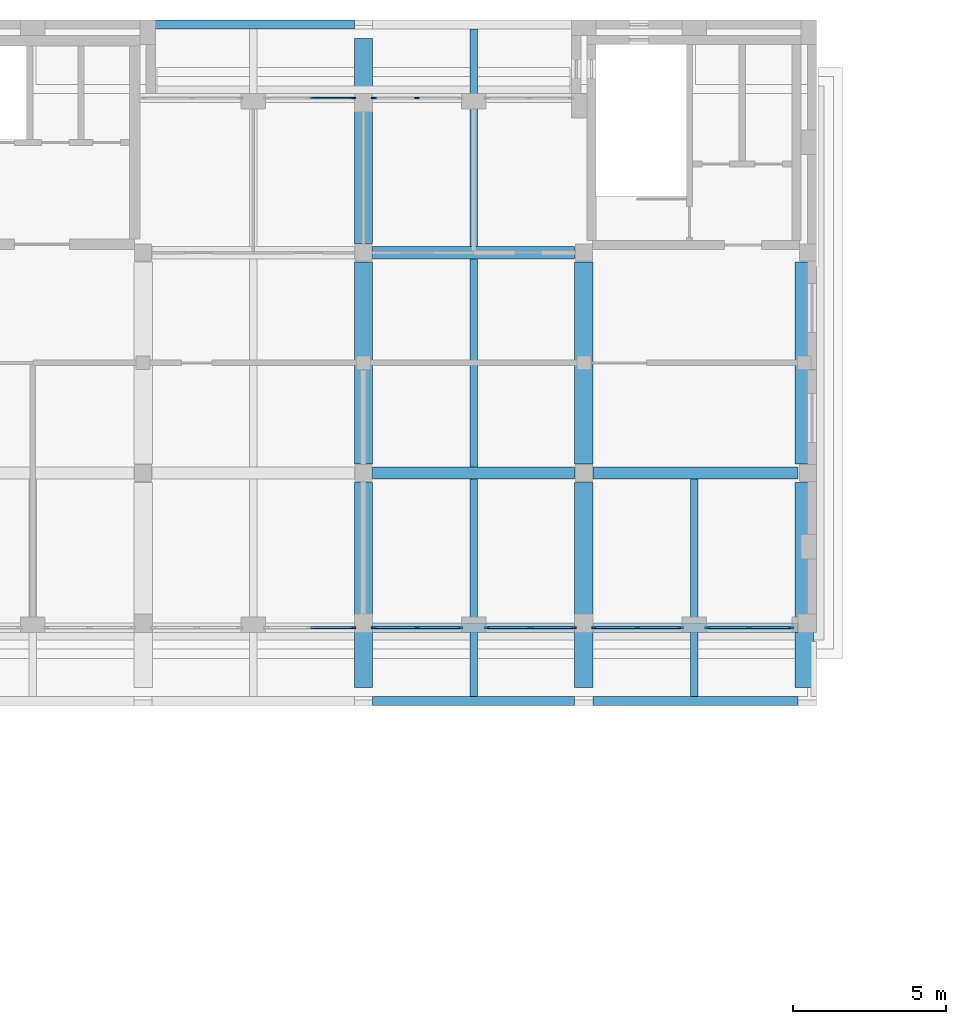
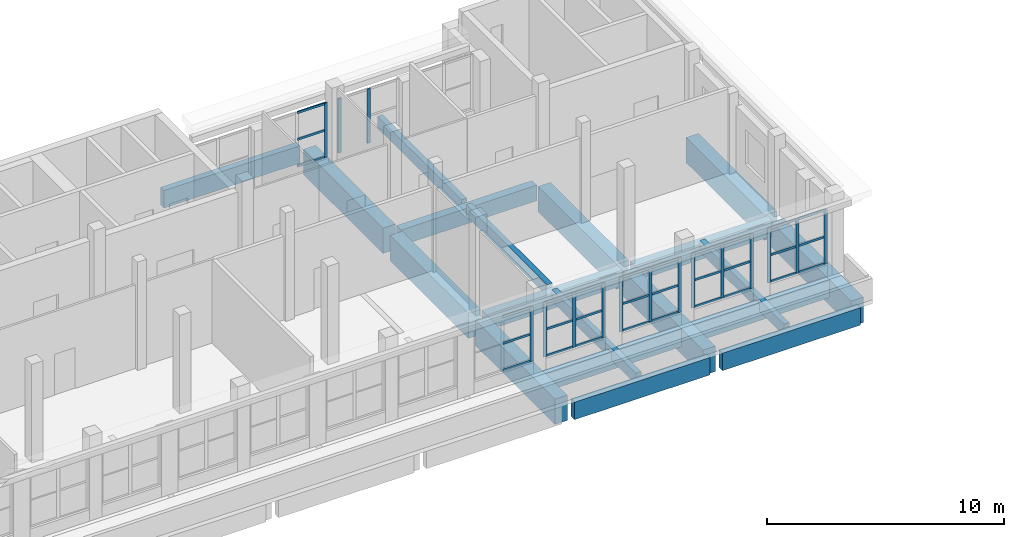
# One storey, part 8 of 30: 46 members, 19 beams, 7 elements without a shape of their own.
"""IFC4 building model written with IfcOpenShell, lengths in metres."""

from ifc_helpers import new_model, si_unit, direction, frame, origin, origin_2d, place, context, subcontext, project, spatial, rectangle, extrude, material, layer, layer_set, material_profile, profile_set, type_object, element, aggregate, save


model = new_model("IFC4")

# Units and contexts
model_context = context("Model", 3, precision=1e-05, world=origin(), true_north=direction((0.0, 1.0)))
body_context = subcontext(model_context, "Body", "Model", "MODEL_VIEW")
ifc_project = project(units=[si_unit("LENGTHUNIT", "METRE"), si_unit("AREAUNIT", "SQUARE_METRE"), si_unit("VOLUMEUNIT", "CUBIC_METRE"), si_unit("PLANEANGLEUNIT", "RADIAN"), si_unit("MASSUNIT", "GRAM", prefix="KILO")], contexts=[model_context])

# Site, building, storey
site_placement = place(None, origin())
site = spatial("IfcSite", under=ifc_project, at=site_placement, CompositionType="ELEMENT")
building_placement = place(site_placement, origin())
building = spatial("IfcBuilding", under=site, at=building_placement, Name="Ussher Court Research Institute", CompositionType="ELEMENT")
storey_placement = place(building_placement, frame((0.0, 0.0, 27.89990234375)))
storey = spatial("IfcBuildingStorey", under=building, at=storey_placement, Name="L06", CompositionType="ELEMENT", Elevation=27.89990234375)

# Curtain wall, members
ifc_material_1 = material(Name="Bronze anodised aluminium with insulated low-e glass", Category="aluminium")
ifc_layer = layer(ifc_material_1, 0.1201171875)
ifc_layer_set = layer_set([ifc_layer], Name="Bronze anodised aluminium with insulated low-e glass")
curtain_wall_type = type_object("IfcCurtainWallType", Name="Curtain wall attic gallery glazing", PredefinedType="NOTDEFINED", material=ifc_layer_set)
curtain_wall_1_placement = place(storey_placement, origin())
curtain_wall_1 = element("IfcCurtainWall", 1, at=curtain_wall_1_placement, inside=storey, type_object=curtain_wall_type, Name="Curtain wall CW11 L06", PredefinedType="NOTDEFINED")
ifc_material_2 = material(Name="Bronze anodised aluminium", Category="aluminium")
ifc_material_profile_1 = material_profile(ifc_material_2, rectangle(XDim=0.06005859375, YDim=0.159912109375, at=origin_2d()), Name="Mullion 60x160")
ifc_profile_set_1 = profile_set([ifc_material_profile_1], Name="Bronze anodised aluminium")
member_type_1 = type_object("IfcMemberType", Name="Mullion 60x160", PredefinedType="MULLION", material=ifc_profile_set_1)
member_1_placement = place(storey_placement, frame((81.77001953125, 70.949951171875, 0.60009765625), z_axis=(0.0, 0.0, 1.0), x_axis=(0.0, -1.0, 0.0)))
member_1 = element("IfcMember", 2, at=member_1_placement, type_object=member_type_1, Name="CW11 mullion 1", PredefinedType="MULLION", context=body_context, shape_type="SweptSolid", body=[
    extrude(rectangle(XDim=0.06005859375, YDim=0.159912109375, at=origin_2d()), origin(), (0.0, 0.0, 1.0), 2.800048828125),
])
member_2_placement = place(storey_placement, frame((80.39990234375, 70.949951171875, 0.60009765625), z_axis=(0.0, 0.0, 1.0), x_axis=(0.0, -1.0, 0.0)))
member_2 = element("IfcMember", 3, at=member_2_placement, type_object=member_type_1, Name="CW11 mullion 2", PredefinedType="MULLION", context=body_context, shape_type="SweptSolid", body=[
    extrude(rectangle(XDim=0.06005859375, YDim=0.159912109375, at=origin_2d()), origin(), (0.0, 0.0, 1.0), 2.800048828125),
])
member_3_placement = place(storey_placement, frame((79.030029296875, 70.949951171875, 0.60009765625), z_axis=(0.0, 0.0, 1.0), x_axis=(0.0, -1.0, 0.0)))
member_3 = element("IfcMember", 4, at=member_3_placement, type_object=member_type_1, Name="CW11 mullion 3", PredefinedType="MULLION", context=body_context, shape_type="SweptSolid", body=[
    extrude(rectangle(XDim=0.06005859375, YDim=0.159912109375, at=origin_2d()), origin(), (0.0, 0.0, 1.0), 2.800048828125),
])

curtain_wall_2_placement = place(storey_placement, origin())
curtain_wall_2 = element("IfcCurtainWall", 5, at=curtain_wall_2_placement, inside=storey, type_object=curtain_wall_type, Name="Curtain wall CW11 L06", PredefinedType="NOTDEFINED")
member_4_placement = place(storey_placement, frame((78.169921875, 70.949951171875, 0.60009765625), z_axis=(0.0, 0.0, 1.0), x_axis=(0.0, -1.0, 0.0)))
member_4 = element("IfcMember", 6, at=member_4_placement, type_object=member_type_1, Name="CW11 mullion 1", PredefinedType="MULLION", context=body_context, shape_type="SweptSolid", body=[
    extrude(rectangle(XDim=0.06005859375, YDim=0.159912109375, at=origin_2d()), origin(), (0.0, 0.0, 1.0), 2.800048828125),
])
member_5_placement = place(storey_placement, frame((76.75, 70.949951171875, 0.60009765625), z_axis=(0.0, 0.0, 1.0), x_axis=(0.0, -1.0, 0.0)))
member_5 = element("IfcMember", 7, at=member_5_placement, type_object=member_type_1, Name="CW11 mullion 2", PredefinedType="MULLION", context=body_context, shape_type="SweptSolid", body=[
    extrude(rectangle(XDim=0.06005859375, YDim=0.159912109375, at=origin_2d()), origin(), (0.0, 0.0, 1.0), 2.800048828125),
])
member_6_placement = place(storey_placement, frame((75.330078125, 70.949951171875, 0.60009765625), z_axis=(0.0, 0.0, 1.0), x_axis=(0.0, -1.0, 0.0)))
member_6 = element("IfcMember", 8, at=member_6_placement, type_object=member_type_1, Name="CW11 mullion 3", PredefinedType="MULLION", context=body_context, shape_type="SweptSolid", body=[
    extrude(rectangle(XDim=0.06005859375, YDim=0.159912109375, at=origin_2d()), origin(), (0.0, 0.0, 1.0), 2.800048828125),
])

curtain_wall_3_placement = place(storey_placement, origin())
curtain_wall_3 = element("IfcCurtainWall", 9, at=curtain_wall_3_placement, inside=storey, type_object=curtain_wall_type, Name="Curtain wall CW11 L06", PredefinedType="NOTDEFINED")
member_7_placement = place(storey_placement, frame((74.669921875, 70.949951171875, 0.60009765625), z_axis=(0.0, 0.0, 1.0), x_axis=(0.0, -1.0, 0.0)))
member_7 = element("IfcMember", 10, at=member_7_placement, type_object=member_type_1, Name="CW11 mullion 1", PredefinedType="MULLION", context=body_context, shape_type="SweptSolid", body=[
    extrude(rectangle(XDim=0.06005859375, YDim=0.159912109375, at=origin_2d()), origin(), (0.0, 0.0, 1.0), 2.800048828125),
])
member_8_placement = place(storey_placement, frame((73.25, 70.949951171875, 0.60009765625), z_axis=(0.0, 0.0, 1.0), x_axis=(0.0, -1.0, 0.0)))
member_8 = element("IfcMember", 11, at=member_8_placement, type_object=member_type_1, Name="CW11 mullion 2", PredefinedType="MULLION", context=body_context, shape_type="SweptSolid", body=[
    extrude(rectangle(XDim=0.06005859375, YDim=0.159912109375, at=origin_2d()), origin(), (0.0, 0.0, 1.0), 2.800048828125),
])
member_9_placement = place(storey_placement, frame((71.830078125, 70.949951171875, 0.60009765625), z_axis=(0.0, 0.0, 1.0), x_axis=(0.0, -1.0, 0.0)))
member_9 = element("IfcMember", 12, at=member_9_placement, type_object=member_type_1, Name="CW11 mullion 3", PredefinedType="MULLION", context=body_context, shape_type="SweptSolid", body=[
    extrude(rectangle(XDim=0.06005859375, YDim=0.159912109375, at=origin_2d()), origin(), (0.0, 0.0, 1.0), 2.800048828125),
])

curtain_wall_4_placement = place(storey_placement, origin())
curtain_wall_4 = element("IfcCurtainWall", 13, at=curtain_wall_4_placement, inside=storey, type_object=curtain_wall_type, Name="Curtain wall CW11 L06", PredefinedType="NOTDEFINED")
member_10_placement = place(storey_placement, frame((70.969970703125, 70.949951171875, 0.60009765625), z_axis=(0.0, 0.0, 1.0), x_axis=(0.0, -1.0, 0.0)))
member_10 = element("IfcMember", 14, at=member_10_placement, type_object=member_type_1, Name="CW11 mullion 1", PredefinedType="MULLION", context=body_context, shape_type="SweptSolid", body=[
    extrude(rectangle(XDim=0.06005859375, YDim=0.159912109375, at=origin_2d()), origin(), (0.0, 0.0, 1.0), 2.800048828125),
])
member_11_placement = place(storey_placement, frame((69.550048828125, 70.949951171875, 0.60009765625), z_axis=(0.0, 0.0, 1.0), x_axis=(0.0, -1.0, 0.0)))
member_11 = element("IfcMember", 15, at=member_11_placement, type_object=member_type_1, Name="CW11 mullion 2", PredefinedType="MULLION", context=body_context, shape_type="SweptSolid", body=[
    extrude(rectangle(XDim=0.06005859375, YDim=0.159912109375, at=origin_2d()), origin(), (0.0, 0.0, 1.0), 2.800048828125),
])
member_12_placement = place(storey_placement, frame((68.1298828125, 70.949951171875, 0.60009765625), z_axis=(0.0, 0.0, 1.0), x_axis=(0.0, -1.0, 0.0)))
member_12 = element("IfcMember", 16, at=member_12_placement, type_object=member_type_1, Name="CW11 mullion 3", PredefinedType="MULLION", context=body_context, shape_type="SweptSolid", body=[
    extrude(rectangle(XDim=0.06005859375, YDim=0.159912109375, at=origin_2d()), origin(), (0.0, 0.0, 1.0), 2.800048828125),
])

# Curtain wall, member
curtain_wall_5_placement = place(storey_placement, origin())
curtain_wall_5 = element("IfcCurtainWall", 17, at=curtain_wall_5_placement, inside=storey, type_object=curtain_wall_type, Name="Curtain wall CW11 L06", PredefinedType="NOTDEFINED")
member_13_placement = place(storey_placement, frame((67.469970703125, 70.949951171875, 0.60009765625), z_axis=(0.0, 0.0, 1.0), x_axis=(0.0, -1.0, 0.0)))
member_13 = element("IfcMember", 18, at=member_13_placement, type_object=member_type_1, Name="CW11 mullion 1", PredefinedType="MULLION", context=body_context, shape_type="SweptSolid", body=[
    extrude(rectangle(XDim=0.06005859375, YDim=0.159912109375, at=origin_2d()), origin(), (0.0, 0.0, 1.0), 2.800048828125),
])

curtain_wall_6_placement = place(storey_placement, origin())
curtain_wall_6 = element("IfcCurtainWall", 19, at=curtain_wall_6_placement, inside=storey, type_object=curtain_wall_type, Name="Curtain wall CW11 L06", PredefinedType="NOTDEFINED")
member_14_placement = place(storey_placement, frame((67.469970703125, 88.25, 0.60009765625), z_axis=(0.0, 0.0, 1.0), x_axis=(0.0, 1.0, 0.0)))
member_14 = element("IfcMember", 20, at=member_14_placement, type_object=member_type_1, Name="CW11 mullion 3", PredefinedType="MULLION", context=body_context, shape_type="SweptSolid", body=[
    extrude(rectangle(XDim=0.06005859375, YDim=0.159912109375, at=origin_2d()), origin(), (0.0, 0.0, 1.0), 2.800048828125),
])

# Curtain wall, members
curtain_wall_7_placement = place(storey_placement, origin())
curtain_wall_7 = element("IfcCurtainWall", 21, at=curtain_wall_7_placement, inside=storey, type_object=curtain_wall_type, Name="Curtain wall CW11 L06", PredefinedType="NOTDEFINED")
member_15_placement = place(storey_placement, frame((68.1298828125, 88.25, 0.60009765625), z_axis=(0.0, 0.0, 1.0), x_axis=(0.0, 1.0, 0.0)))
member_15 = element("IfcMember", 22, at=member_15_placement, type_object=member_type_1, Name="CW11 mullion 1", PredefinedType="MULLION", context=body_context, shape_type="SweptSolid", body=[
    extrude(rectangle(XDim=0.06005859375, YDim=0.159912109375, at=origin_2d()), origin(), (0.0, 0.0, 1.0), 2.800048828125),
])
member_16_placement = place(storey_placement, frame((69.550048828125, 88.25, 0.60009765625), z_axis=(0.0, 0.0, 1.0), x_axis=(0.0, 1.0, 0.0)))
member_16 = element("IfcMember", 23, at=member_16_placement, type_object=member_type_1, Name="CW11 mullion 2", PredefinedType="MULLION", context=body_context, shape_type="SweptSolid", body=[
    extrude(rectangle(XDim=0.06005859375, YDim=0.159912109375, at=origin_2d()), origin(), (0.0, 0.0, 1.0), 2.800048828125),
])
aggregate(curtain_wall_7, [member_15, member_16])

# Beams
ifc_material_3 = material(Name="Concrete C35/45", Category="concrete")
ifc_material_profile_2 = material_profile(ifc_material_3, rectangle(XDim=0.25, YDim=0.60009765625, at=origin_2d()), Name="RC 250x600")
ifc_profile_set_2 = profile_set([ifc_material_profile_2], Name="Concrete C35/45")
beam_type_1 = type_object("IfcBeamType", Name="RC 250x600 beam", PredefinedType="BEAM", material=ifc_profile_set_2)
beam_1_placement = place(storey_placement, frame((71.39990234375, 68.699951171875, -0.2998046875), z_axis=(0.0, 1.0, 0.0), x_axis=(-1.0, 0.0, 0.0)))
element("IfcBeam", 24, at=beam_1_placement, inside=storey, type_object=beam_type_1, Name="B14 V5 L06-22", PredefinedType="BEAM", context=body_context, shape_type="SweptSolid", body=[
    extrude(rectangle(XDim=0.25, YDim=0.60009765625, at=origin_2d()), origin(), (0.0, 0.0, 1.0), 7.10009765625),
])
beam_2_placement = place(storey_placement, frame((71.39990234375, 76.199951171875, -0.2998046875), z_axis=(0.0, 1.0, 0.0), x_axis=(-1.0, 0.0, 0.0)))
element("IfcBeam", 25, at=beam_2_placement, inside=storey, type_object=beam_type_1, Name="B14 V5 L06-23", PredefinedType="BEAM", context=body_context, shape_type="SweptSolid", body=[
    extrude(rectangle(XDim=0.25, YDim=0.60009765625, at=origin_2d()), origin(), (0.0, 0.0, 1.0), 6.800048828125),
])
for number, where, z_axis, x_axis, name in (
    (26, (71.39990234375, 83.39990234375, -0.2998046875), (0.0, 1.0, 0.0), (-1.0, 0.0, 0.0), "B14 V5 L06-24"),
    (27, (78.60009765625, 68.699951171875, -0.2998046875), (0.0, 1.0, 0.0), (-1.0, 0.0, 0.0), "B14 V5 L06-25"),
):
    element("IfcBeam", number, at=place(storey_placement, frame(where, z_axis=z_axis, x_axis=x_axis)), inside=storey, type_object=beam_type_1, Name=name, PredefinedType="BEAM", context=body_context, shape_type="SweptSolid", body=[
        extrude(rectangle(XDim=0.25, YDim=0.60009765625, at=origin_2d()), origin(), (0.0, 0.0, 1.0), 7.10009765625),
    ])
ifc_material_4 = material(Name="Concrete C35/45", Category="concrete")
ifc_material_profile_3 = material_profile(ifc_material_4, rectangle(XDim=0.300048828125, YDim=0.89990234375, at=origin_2d()), Name="RC 300x900")
ifc_profile_set_3 = profile_set([ifc_material_profile_3], Name="Concrete C35/45")
beam_type_2 = type_object("IfcBeamType", Name="RC 300x900 beam", PredefinedType="BEAM", material=ifc_profile_set_3)
beam_3_placement = place(storey_placement, frame((68.10009765625, 68.550048828125, -0.64990234375), z_axis=(1.0, 0.0, 0.0), x_axis=(0.0, 1.0, 0.0)))
element("IfcBeam", 28, at=beam_3_placement, inside=storey, type_object=beam_type_2, Name="SB2 V5 L06-10", PredefinedType="BEAM", context=body_context, shape_type="SweptSolid", body=[
    extrude(rectangle(XDim=0.300048828125, YDim=0.89990234375, at=origin_2d()), origin(), (0.0, 0.0, 1.0), 6.599853515625),
])
beam_4_placement = place(storey_placement, frame((75.300048828125, 68.550048828125, -0.64990234375), z_axis=(1.0, 0.0, 0.0), x_axis=(0.0, 1.0, 0.0)))
element("IfcBeam", 29, at=beam_4_placement, inside=storey, type_object=beam_type_2, Name="SB2 V5 L06-11", PredefinedType="BEAM", context=body_context, shape_type="SweptSolid", body=[
    extrude(rectangle(XDim=0.300048828125, YDim=0.89990234375, at=origin_2d()), origin(), (0.0, 0.0, 1.0), 6.699951171875),
])
beam_5_placement = place(storey_placement, frame((60.89990234375, 90.64990234375, -0.64990234375), z_axis=(1.0, 0.0, 0.0), x_axis=(0.0, 1.0, 0.0)))
element("IfcBeam", 30, at=beam_5_placement, inside=storey, type_object=beam_type_2, Name="SB2 V5 L06-20", PredefinedType="BEAM", context=body_context, shape_type="SweptSolid", body=[
    extrude(rectangle(XDim=0.300048828125, YDim=0.89990234375, at=origin_2d()), origin(), (0.0, 0.0, 1.0), 6.60009765625),
])
beam_6_placement = place(storey_placement, frame((68.10009765625, 70.949951171875, -0.64990234375), z_axis=(1.0, 0.0, 0.0), x_axis=(0.0, 1.0, 0.0)))
element("IfcBeam", 31, at=beam_6_placement, inside=storey, type_object=beam_type_2, Name="SB2 V5 L06-32", PredefinedType="BEAM", context=body_context, shape_type="SweptSolid", body=[
    extrude(rectangle(XDim=0.300048828125, YDim=0.89990234375, at=origin_2d()), origin(), (0.0, 0.0, 1.0), 6.599853515625),
])
beam_7_placement = place(storey_placement, frame((75.300048828125, 70.949951171875, -0.64990234375), z_axis=(1.0, 0.0, 0.0), x_axis=(0.0, 1.0, 0.0)))
element("IfcBeam", 32, at=beam_7_placement, inside=storey, type_object=beam_type_2, Name="SB2 V5 L06-33", PredefinedType="BEAM", context=body_context, shape_type="SweptSolid", body=[
    extrude(rectangle(XDim=0.300048828125, YDim=0.89990234375, at=origin_2d()), origin(), (0.0, 0.0, 1.0), 6.699951171875),
])
ifc_material_5 = material(Name="Concrete C35/45", Category="concrete")
ifc_material_profile_4 = material_profile(ifc_material_5, rectangle(XDim=0.39990234375, YDim=0.800048828125, at=origin_2d()), Name="RC 400x800")
ifc_profile_set_4 = profile_set([ifc_material_profile_4], Name="Concrete C35/45")
beam_type_3 = type_object("IfcBeamType", Name="RC 400x800 beam", PredefinedType="BEAM", material=ifc_profile_set_4)
beam_8_placement = place(storey_placement, frame((68.10009765625, 76.0, -0.599853515625), z_axis=(1.0, 0.0, 0.0), x_axis=(0.0, 1.0, 0.0)))
element("IfcBeam", 33, at=beam_8_placement, inside=storey, type_object=beam_type_3, Name="B17 V5 L06-10", PredefinedType="BEAM", context=body_context, shape_type="SweptSolid", body=[
    extrude(rectangle(XDim=0.39990234375, YDim=0.800048828125, at=origin_2d()), origin(), (0.0, 0.0, 1.0), 6.599853515625),
])
beam_9_placement = place(storey_placement, frame((75.300048828125, 76.0, -0.599853515625), z_axis=(1.0, 0.0, 0.0), x_axis=(0.0, 1.0, 0.0)))
element("IfcBeam", 34, at=beam_9_placement, inside=storey, type_object=beam_type_3, Name="B17 V5 L06-11", PredefinedType="BEAM", context=body_context, shape_type="SweptSolid", body=[
    extrude(rectangle(XDim=0.39990234375, YDim=0.800048828125, at=origin_2d()), origin(), (0.0, 0.0, 1.0), 6.699951171875),
])
beam_10_placement = place(storey_placement, frame((68.10009765625, 83.199951171875, -0.599853515625), z_axis=(1.0, 0.0, 0.0), x_axis=(0.0, 1.0, 0.0)))
element("IfcBeam", 35, at=beam_10_placement, inside=storey, type_object=beam_type_3, Name="B17 V5 L06-18", PredefinedType="BEAM", context=body_context, shape_type="SweptSolid", body=[
    extrude(rectangle(XDim=0.39990234375, YDim=0.800048828125, at=origin_2d()), origin(), (0.0, 0.0, 1.0), 6.599853515625),
])
ifc_material_6 = material(Name="Concrete C35/45", Category="concrete")
ifc_material_profile_5 = material_profile(ifc_material_6, rectangle(XDim=0.60009765625, YDim=1.300048828125, at=origin_2d()), Name="RC 600x1300")
ifc_profile_set_5 = profile_set([ifc_material_profile_5], Name="Concrete C35/45")
beam_type_4 = type_object("IfcBeamType", Name="RC 600x1300 beam", PredefinedType="BEAM", material=ifc_profile_set_5)
beam_11_placement = place(storey_placement, frame((67.800048828125, 69.0, -0.849853515625), z_axis=(0.0, 1.0, 0.0), x_axis=(-1.0, 0.0, 0.0)))
element("IfcBeam", 36, at=beam_11_placement, inside=storey, type_object=beam_type_4, Name="TB1 V5 L06-23", PredefinedType="BEAM", context=body_context, shape_type="SweptSolid", body=[
    extrude(rectangle(XDim=0.60009765625, YDim=1.300048828125, at=origin_2d()), origin(), (0.0, 0.0, 1.0), 6.699951171875),
])
beam_12_placement = place(storey_placement, frame((67.800048828125, 76.300048828125, -0.849853515625), z_axis=(0.0, 1.0, 0.0), x_axis=(-1.0, 0.0, 0.0)))
element("IfcBeam", 37, at=beam_12_placement, inside=storey, type_object=beam_type_4, Name="TB1 V5 L06-24", PredefinedType="BEAM", context=body_context, shape_type="SweptSolid", body=[
    extrude(rectangle(XDim=0.60009765625, YDim=1.300048828125, at=origin_2d()), origin(), (0.0, 0.0, 1.0), 6.599853515625),
])
for number, where, z_axis, x_axis, name in (
    (38, (67.800048828125, 83.5, -0.849853515625), (0.0, 1.0, 0.0), (-1.0, 0.0, 0.0), "TB1 V5 L06-25"),
    (39, (75.0, 69.0, -0.849853515625), (0.0, 1.0, 0.0), (-1.0, 0.0, 0.0), "TB1 V5 L06-26"),
):
    element("IfcBeam", number, at=place(storey_placement, frame(where, z_axis=z_axis, x_axis=x_axis)), inside=storey, type_object=beam_type_4, Name=name, PredefinedType="BEAM", context=body_context, shape_type="SweptSolid", body=[
        extrude(rectangle(XDim=0.60009765625, YDim=1.300048828125, at=origin_2d()), origin(), (0.0, 0.0, 1.0), 6.699951171875),
    ])
beam_13_placement = place(storey_placement, frame((75.0, 76.300048828125, -0.849853515625), z_axis=(0.0, 1.0, 0.0), x_axis=(-1.0, 0.0, 0.0)))
element("IfcBeam", 40, at=beam_13_placement, inside=storey, type_object=beam_type_4, Name="TB1 V5 L06-27", PredefinedType="BEAM", context=body_context, shape_type="SweptSolid", body=[
    extrude(rectangle(XDim=0.60009765625, YDim=1.300048828125, at=origin_2d()), origin(), (0.0, 0.0, 1.0), 6.599853515625),
])
beam_14_placement = place(storey_placement, frame((82.199951171875, 69.0, -0.849853515625), z_axis=(0.0, 1.0, 0.0), x_axis=(-1.0, 0.0, 0.0)))
element("IfcBeam", 41, at=beam_14_placement, inside=storey, type_object=beam_type_4, Name="TB1 V5 L06-28", PredefinedType="BEAM", context=body_context, shape_type="SweptSolid", body=[
    extrude(rectangle(XDim=0.60009765625, YDim=1.300048828125, at=origin_2d()), origin(), (0.0, 0.0, 1.0), 6.699951171875),
])
beam_15_placement = place(storey_placement, frame((82.199951171875, 76.300048828125, -0.849853515625), z_axis=(0.0, 1.0, 0.0), x_axis=(-1.0, 0.0, 0.0)))
element("IfcBeam", 42, at=beam_15_placement, inside=storey, type_object=beam_type_4, Name="TB1 V5 L06-29", PredefinedType="BEAM", context=body_context, shape_type="SweptSolid", body=[
    extrude(rectangle(XDim=0.60009765625, YDim=1.300048828125, at=origin_2d()), origin(), (0.0, 0.0, 1.0), 6.599853515625),
])

# Member
ifc_material_7 = material(Name="Bronze anodised aluminium", Category="aluminium")
ifc_material_profile_6 = material_profile(ifc_material_7, rectangle(XDim=0.06005859375, YDim=0.1201171875, at=origin_2d()), Name="Transom 60x120")
ifc_profile_set_6 = profile_set([ifc_material_profile_6], Name="Bronze anodised aluminium")
member_type_2 = type_object("IfcMemberType", Name="Transom 60x120", PredefinedType="USERDEFINED", material=ifc_profile_set_6)
member_17_placement = place(storey_placement, frame((81.739990234375, 70.949951171875, 0.630126953125), z_axis=(-1.0, 0.0, 0.0), x_axis=(0.0, -1.0, 0.0)))
member_17 = element("IfcMember", 43, at=member_17_placement, type_object=member_type_2, Name="CW11 transom 1.1", ObjectType="TRANSOM", PredefinedType="USERDEFINED", context=body_context, shape_type="SweptSolid", body=[
    extrude(rectangle(XDim=0.06005859375, YDim=0.1201171875, at=origin_2d()), origin(), (0.0, 0.0, 1.0), 1.31005859375),
])

member_18_placement = place(storey_placement, frame((81.739990234375, 70.949951171875, 2.0), z_axis=(-1.0, 0.0, 0.0), x_axis=(0.0, -1.0, 0.0)))
member_18 = element("IfcMember", 44, at=member_18_placement, type_object=member_type_2, Name="CW11 transom 1.2", ObjectType="TRANSOM", PredefinedType="USERDEFINED", context=body_context, shape_type="SweptSolid", body=[
    extrude(rectangle(XDim=0.06005859375, YDim=0.1201171875, at=origin_2d()), origin(), (0.0, 0.0, 1.0), 1.31005859375),
])

member_19_placement = place(storey_placement, frame((81.739990234375, 70.949951171875, 3.3701171875), z_axis=(-1.0, 0.0, 0.0), x_axis=(0.0, -1.0, 0.0)))
member_19 = element("IfcMember", 45, at=member_19_placement, type_object=member_type_2, Name="CW11 transom 1.3", ObjectType="TRANSOM", PredefinedType="USERDEFINED", context=body_context, shape_type="SweptSolid", body=[
    extrude(rectangle(XDim=0.06005859375, YDim=0.1201171875, at=origin_2d()), origin(), (0.0, 0.0, 1.0), 1.31005859375),
])

member_20_placement = place(storey_placement, frame((80.3701171875, 70.949951171875, 0.630126953125), z_axis=(-1.0, 0.0, 0.0), x_axis=(0.0, -1.0, 0.0)))
member_20 = element("IfcMember", 46, at=member_20_placement, type_object=member_type_2, Name="CW11 transom 2.1", ObjectType="TRANSOM", PredefinedType="USERDEFINED", context=body_context, shape_type="SweptSolid", body=[
    extrude(rectangle(XDim=0.06005859375, YDim=0.1201171875, at=origin_2d()), origin(), (0.0, 0.0, 1.0), 1.31005859375),
])

member_21_placement = place(storey_placement, frame((80.3701171875, 70.949951171875, 2.0), z_axis=(-1.0, 0.0, 0.0), x_axis=(0.0, -1.0, 0.0)))
member_21 = element("IfcMember", 47, at=member_21_placement, type_object=member_type_2, Name="CW11 transom 2.2", ObjectType="TRANSOM", PredefinedType="USERDEFINED", context=body_context, shape_type="SweptSolid", body=[
    extrude(rectangle(XDim=0.06005859375, YDim=0.1201171875, at=origin_2d()), origin(), (0.0, 0.0, 1.0), 1.31005859375),
])

member_22_placement = place(storey_placement, frame((80.3701171875, 70.949951171875, 3.3701171875), z_axis=(-1.0, 0.0, 0.0), x_axis=(0.0, -1.0, 0.0)))
member_22 = element("IfcMember", 48, at=member_22_placement, type_object=member_type_2, Name="CW11 transom 2.3", ObjectType="TRANSOM", PredefinedType="USERDEFINED", context=body_context, shape_type="SweptSolid", body=[
    extrude(rectangle(XDim=0.06005859375, YDim=0.1201171875, at=origin_2d()), origin(), (0.0, 0.0, 1.0), 1.31005859375),
])

aggregate(curtain_wall_1, [member_1, member_2, member_3, member_17, member_18, member_19, member_20, member_21, member_22])

member_23_placement = place(storey_placement, frame((78.139892578125, 70.949951171875, 0.630126953125), z_axis=(-1.0, 0.0, 0.0), x_axis=(0.0, -1.0, 0.0)))
member_23 = element("IfcMember", 49, at=member_23_placement, type_object=member_type_2, Name="CW11 transom 1.1", ObjectType="TRANSOM", PredefinedType="USERDEFINED", context=body_context, shape_type="SweptSolid", body=[
    extrude(rectangle(XDim=0.06005859375, YDim=0.1201171875, at=origin_2d()), origin(), (0.0, 0.0, 1.0), 1.35986328125),
])

member_24_placement = place(storey_placement, frame((78.139892578125, 70.949951171875, 2.0), z_axis=(-1.0, 0.0, 0.0), x_axis=(0.0, -1.0, 0.0)))
member_24 = element("IfcMember", 50, at=member_24_placement, type_object=member_type_2, Name="CW11 transom 1.2", ObjectType="TRANSOM", PredefinedType="USERDEFINED", context=body_context, shape_type="SweptSolid", body=[
    extrude(rectangle(XDim=0.06005859375, YDim=0.1201171875, at=origin_2d()), origin(), (0.0, 0.0, 1.0), 1.35986328125),
])

member_25_placement = place(storey_placement, frame((78.139892578125, 70.949951171875, 3.3701171875), z_axis=(-1.0, 0.0, 0.0), x_axis=(0.0, -1.0, 0.0)))
member_25 = element("IfcMember", 51, at=member_25_placement, type_object=member_type_2, Name="CW11 transom 1.3", ObjectType="TRANSOM", PredefinedType="USERDEFINED", context=body_context, shape_type="SweptSolid", body=[
    extrude(rectangle(XDim=0.06005859375, YDim=0.1201171875, at=origin_2d()), origin(), (0.0, 0.0, 1.0), 1.35986328125),
])

member_26_placement = place(storey_placement, frame((76.719970703125, 70.949951171875, 0.630126953125), z_axis=(-1.0, 0.0, 0.0), x_axis=(0.0, -1.0, 0.0)))
member_26 = element("IfcMember", 52, at=member_26_placement, type_object=member_type_2, Name="CW11 transom 2.1", ObjectType="TRANSOM", PredefinedType="USERDEFINED", context=body_context, shape_type="SweptSolid", body=[
    extrude(rectangle(XDim=0.06005859375, YDim=0.1201171875, at=origin_2d()), origin(), (0.0, 0.0, 1.0), 1.35986328125),
])

member_27_placement = place(storey_placement, frame((76.719970703125, 70.949951171875, 2.0), z_axis=(-1.0, 0.0, 0.0), x_axis=(0.0, -1.0, 0.0)))
member_27 = element("IfcMember", 53, at=member_27_placement, type_object=member_type_2, Name="CW11 transom 2.2", ObjectType="TRANSOM", PredefinedType="USERDEFINED", context=body_context, shape_type="SweptSolid", body=[
    extrude(rectangle(XDim=0.06005859375, YDim=0.1201171875, at=origin_2d()), origin(), (0.0, 0.0, 1.0), 1.35986328125),
])

member_28_placement = place(storey_placement, frame((76.719970703125, 70.949951171875, 3.3701171875), z_axis=(-1.0, 0.0, 0.0), x_axis=(0.0, -1.0, 0.0)))
member_28 = element("IfcMember", 54, at=member_28_placement, type_object=member_type_2, Name="CW11 transom 2.3", ObjectType="TRANSOM", PredefinedType="USERDEFINED", context=body_context, shape_type="SweptSolid", body=[
    extrude(rectangle(XDim=0.06005859375, YDim=0.1201171875, at=origin_2d()), origin(), (0.0, 0.0, 1.0), 1.35986328125),
])

aggregate(curtain_wall_2, [member_4, member_5, member_6, member_23, member_24, member_25, member_26, member_27, member_28])

member_29_placement = place(storey_placement, frame((74.639892578125, 70.949951171875, 0.630126953125), z_axis=(-1.0, 0.0, 0.0), x_axis=(0.0, -1.0, 0.0)))
member_29 = element("IfcMember", 55, at=member_29_placement, type_object=member_type_2, Name="CW11 transom 1.1", ObjectType="TRANSOM", PredefinedType="USERDEFINED", context=body_context, shape_type="SweptSolid", body=[
    extrude(rectangle(XDim=0.06005859375, YDim=0.1201171875, at=origin_2d()), origin(), (0.0, 0.0, 1.0), 1.35986328125),
])

member_30_placement = place(storey_placement, frame((74.639892578125, 70.949951171875, 2.0), z_axis=(-1.0, 0.0, 0.0), x_axis=(0.0, -1.0, 0.0)))
member_30 = element("IfcMember", 56, at=member_30_placement, type_object=member_type_2, Name="CW11 transom 1.2", ObjectType="TRANSOM", PredefinedType="USERDEFINED", context=body_context, shape_type="SweptSolid", body=[
    extrude(rectangle(XDim=0.06005859375, YDim=0.1201171875, at=origin_2d()), origin(), (0.0, 0.0, 1.0), 1.35986328125),
])

member_31_placement = place(storey_placement, frame((74.639892578125, 70.949951171875, 3.3701171875), z_axis=(-1.0, 0.0, 0.0), x_axis=(0.0, -1.0, 0.0)))
member_31 = element("IfcMember", 57, at=member_31_placement, type_object=member_type_2, Name="CW11 transom 1.3", ObjectType="TRANSOM", PredefinedType="USERDEFINED", context=body_context, shape_type="SweptSolid", body=[
    extrude(rectangle(XDim=0.06005859375, YDim=0.1201171875, at=origin_2d()), origin(), (0.0, 0.0, 1.0), 1.35986328125),
])

member_32_placement = place(storey_placement, frame((73.219970703125, 70.949951171875, 0.630126953125), z_axis=(-1.0, 0.0, 0.0), x_axis=(0.0, -1.0, 0.0)))
member_32 = element("IfcMember", 58, at=member_32_placement, type_object=member_type_2, Name="CW11 transom 2.1", ObjectType="TRANSOM", PredefinedType="USERDEFINED", context=body_context, shape_type="SweptSolid", body=[
    extrude(rectangle(XDim=0.06005859375, YDim=0.1201171875, at=origin_2d()), origin(), (0.0, 0.0, 1.0), 1.35986328125),
])

member_33_placement = place(storey_placement, frame((73.219970703125, 70.949951171875, 2.0), z_axis=(-1.0, 0.0, 0.0), x_axis=(0.0, -1.0, 0.0)))
member_33 = element("IfcMember", 59, at=member_33_placement, type_object=member_type_2, Name="CW11 transom 2.2", ObjectType="TRANSOM", PredefinedType="USERDEFINED", context=body_context, shape_type="SweptSolid", body=[
    extrude(rectangle(XDim=0.06005859375, YDim=0.1201171875, at=origin_2d()), origin(), (0.0, 0.0, 1.0), 1.35986328125),
])

member_34_placement = place(storey_placement, frame((73.219970703125, 70.949951171875, 3.3701171875), z_axis=(-1.0, 0.0, 0.0), x_axis=(0.0, -1.0, 0.0)))
member_34 = element("IfcMember", 60, at=member_34_placement, type_object=member_type_2, Name="CW11 transom 2.3", ObjectType="TRANSOM", PredefinedType="USERDEFINED", context=body_context, shape_type="SweptSolid", body=[
    extrude(rectangle(XDim=0.06005859375, YDim=0.1201171875, at=origin_2d()), origin(), (0.0, 0.0, 1.0), 1.35986328125),
])

aggregate(curtain_wall_3, [member_7, member_8, member_9, member_29, member_30, member_31, member_32, member_33, member_34])

member_35_placement = place(storey_placement, frame((70.93994140625, 70.949951171875, 0.630126953125), z_axis=(-1.0, 0.0, 0.0), x_axis=(0.0, -1.0, 0.0)))
member_35 = element("IfcMember", 61, at=member_35_placement, type_object=member_type_2, Name="CW11 transom 1.1", ObjectType="TRANSOM", PredefinedType="USERDEFINED", context=body_context, shape_type="SweptSolid", body=[
    extrude(rectangle(XDim=0.06005859375, YDim=0.1201171875, at=origin_2d()), origin(), (0.0, 0.0, 1.0), 1.35986328125),
])

member_36_placement = place(storey_placement, frame((70.93994140625, 70.949951171875, 2.0), z_axis=(-1.0, 0.0, 0.0), x_axis=(0.0, -1.0, 0.0)))
member_36 = element("IfcMember", 62, at=member_36_placement, type_object=member_type_2, Name="CW11 transom 1.2", ObjectType="TRANSOM", PredefinedType="USERDEFINED", context=body_context, shape_type="SweptSolid", body=[
    extrude(rectangle(XDim=0.06005859375, YDim=0.1201171875, at=origin_2d()), origin(), (0.0, 0.0, 1.0), 1.35986328125),
])

member_37_placement = place(storey_placement, frame((70.93994140625, 70.949951171875, 3.3701171875), z_axis=(-1.0, 0.0, 0.0), x_axis=(0.0, -1.0, 0.0)))
member_37 = element("IfcMember", 63, at=member_37_placement, type_object=member_type_2, Name="CW11 transom 1.3", ObjectType="TRANSOM", PredefinedType="USERDEFINED", context=body_context, shape_type="SweptSolid", body=[
    extrude(rectangle(XDim=0.06005859375, YDim=0.1201171875, at=origin_2d()), origin(), (0.0, 0.0, 1.0), 1.35986328125),
])

member_38_placement = place(storey_placement, frame((69.52001953125, 70.949951171875, 0.630126953125), z_axis=(-1.0, 0.0, 0.0), x_axis=(0.0, -1.0, 0.0)))
member_38 = element("IfcMember", 64, at=member_38_placement, type_object=member_type_2, Name="CW11 transom 2.1", ObjectType="TRANSOM", PredefinedType="USERDEFINED", context=body_context, shape_type="SweptSolid", body=[
    extrude(rectangle(XDim=0.06005859375, YDim=0.1201171875, at=origin_2d()), origin(), (0.0, 0.0, 1.0), 1.360107421875),
])

member_39_placement = place(storey_placement, frame((69.52001953125, 70.949951171875, 2.0), z_axis=(-1.0, 0.0, 0.0), x_axis=(0.0, -1.0, 0.0)))
member_39 = element("IfcMember", 65, at=member_39_placement, type_object=member_type_2, Name="CW11 transom 2.2", ObjectType="TRANSOM", PredefinedType="USERDEFINED", context=body_context, shape_type="SweptSolid", body=[
    extrude(rectangle(XDim=0.06005859375, YDim=0.1201171875, at=origin_2d()), origin(), (0.0, 0.0, 1.0), 1.360107421875),
])

member_40_placement = place(storey_placement, frame((69.52001953125, 70.949951171875, 3.3701171875), z_axis=(-1.0, 0.0, 0.0), x_axis=(0.0, -1.0, 0.0)))
member_40 = element("IfcMember", 66, at=member_40_placement, type_object=member_type_2, Name="CW11 transom 2.3", ObjectType="TRANSOM", PredefinedType="USERDEFINED", context=body_context, shape_type="SweptSolid", body=[
    extrude(rectangle(XDim=0.06005859375, YDim=0.1201171875, at=origin_2d()), origin(), (0.0, 0.0, 1.0), 1.360107421875),
])

aggregate(curtain_wall_4, [member_10, member_11, member_12, member_35, member_36, member_37, member_38, member_39, member_40])

member_41_placement = place(storey_placement, frame((67.43994140625, 70.949951171875, 0.630126953125), z_axis=(-1.0, 0.0, 0.0), x_axis=(0.0, -1.0, 0.0)))
member_41 = element("IfcMember", 67, at=member_41_placement, type_object=member_type_2, Name="CW11 transom 1.1", ObjectType="TRANSOM", PredefinedType="USERDEFINED", context=body_context, shape_type="SweptSolid", body=[
    extrude(rectangle(XDim=0.06005859375, YDim=0.1201171875, at=origin_2d()), origin(), (0.0, 0.0, 1.0), 1.35986328125),
])

member_42_placement = place(storey_placement, frame((67.43994140625, 70.949951171875, 2.0), z_axis=(-1.0, 0.0, 0.0), x_axis=(0.0, -1.0, 0.0)))
member_42 = element("IfcMember", 68, at=member_42_placement, type_object=member_type_2, Name="CW11 transom 1.2", ObjectType="TRANSOM", PredefinedType="USERDEFINED", context=body_context, shape_type="SweptSolid", body=[
    extrude(rectangle(XDim=0.06005859375, YDim=0.1201171875, at=origin_2d()), origin(), (0.0, 0.0, 1.0), 1.35986328125),
])

member_43_placement = place(storey_placement, frame((67.43994140625, 70.949951171875, 3.3701171875), z_axis=(-1.0, 0.0, 0.0), x_axis=(0.0, -1.0, 0.0)))
member_43 = element("IfcMember", 69, at=member_43_placement, type_object=member_type_2, Name="CW11 transom 1.3", ObjectType="TRANSOM", PredefinedType="USERDEFINED", context=body_context, shape_type="SweptSolid", body=[
    extrude(rectangle(XDim=0.06005859375, YDim=0.1201171875, at=origin_2d()), origin(), (0.0, 0.0, 1.0), 1.35986328125),
])

aggregate(curtain_wall_5, [member_13, member_41, member_42, member_43])

member_44_placement = place(storey_placement, frame((66.080078125, 88.25, 0.630126953125), z_axis=(1.0, 0.0, 0.0), x_axis=(0.0, 1.0, 0.0)))
member_44 = element("IfcMember", 70, at=member_44_placement, type_object=member_type_2, Name="CW11 transom 2.1", ObjectType="TRANSOM", PredefinedType="USERDEFINED", context=body_context, shape_type="SweptSolid", body=[
    extrude(rectangle(XDim=0.06005859375, YDim=0.1201171875, at=origin_2d()), origin(), (0.0, 0.0, 1.0), 1.35986328125),
])

member_45_placement = place(storey_placement, frame((66.080078125, 88.25, 2.0), z_axis=(1.0, 0.0, 0.0), x_axis=(0.0, 1.0, 0.0)))
member_45 = element("IfcMember", 71, at=member_45_placement, type_object=member_type_2, Name="CW11 transom 2.2", ObjectType="TRANSOM", PredefinedType="USERDEFINED", context=body_context, shape_type="SweptSolid", body=[
    extrude(rectangle(XDim=0.06005859375, YDim=0.1201171875, at=origin_2d()), origin(), (0.0, 0.0, 1.0), 1.35986328125),
])

member_46_placement = place(storey_placement, frame((66.080078125, 88.25, 3.3701171875), z_axis=(1.0, 0.0, 0.0), x_axis=(0.0, 1.0, 0.0)))
member_46 = element("IfcMember", 72, at=member_46_placement, type_object=member_type_2, Name="CW11 transom 2.3", ObjectType="TRANSOM", PredefinedType="USERDEFINED", context=body_context, shape_type="SweptSolid", body=[
    extrude(rectangle(XDim=0.06005859375, YDim=0.1201171875, at=origin_2d()), origin(), (0.0, 0.0, 1.0), 1.35986328125),
])

aggregate(curtain_wall_6, [member_14, member_44, member_45, member_46])

save(model, "model.ifc")
